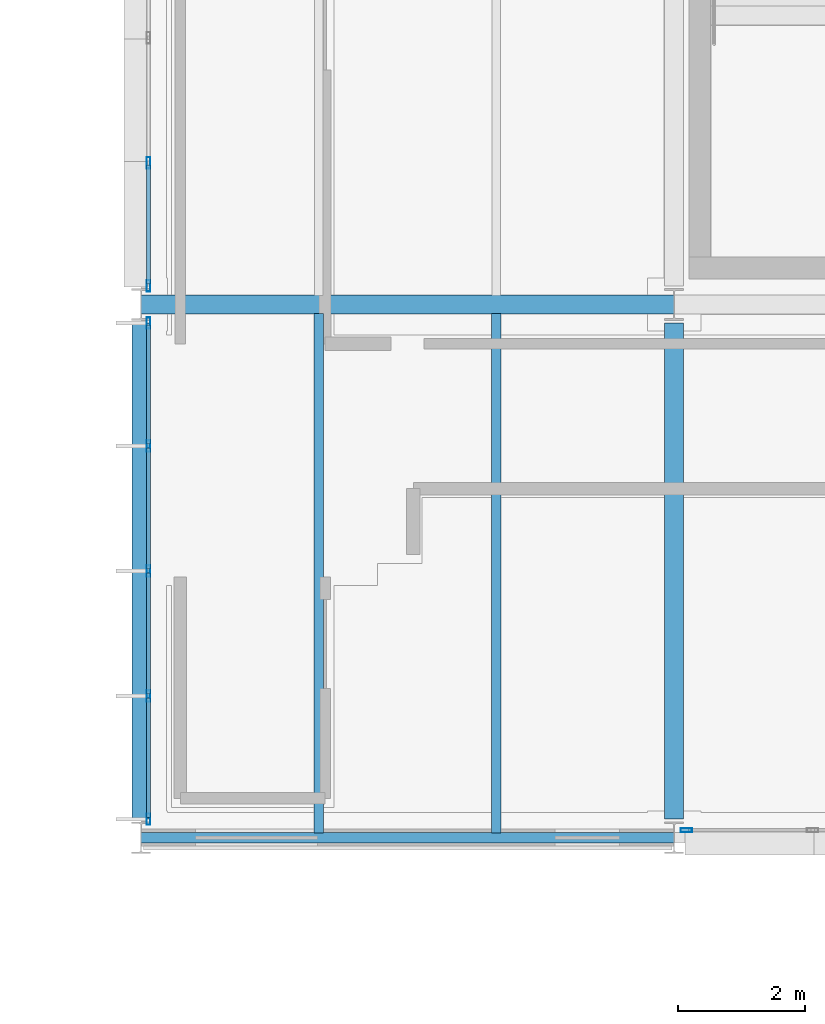
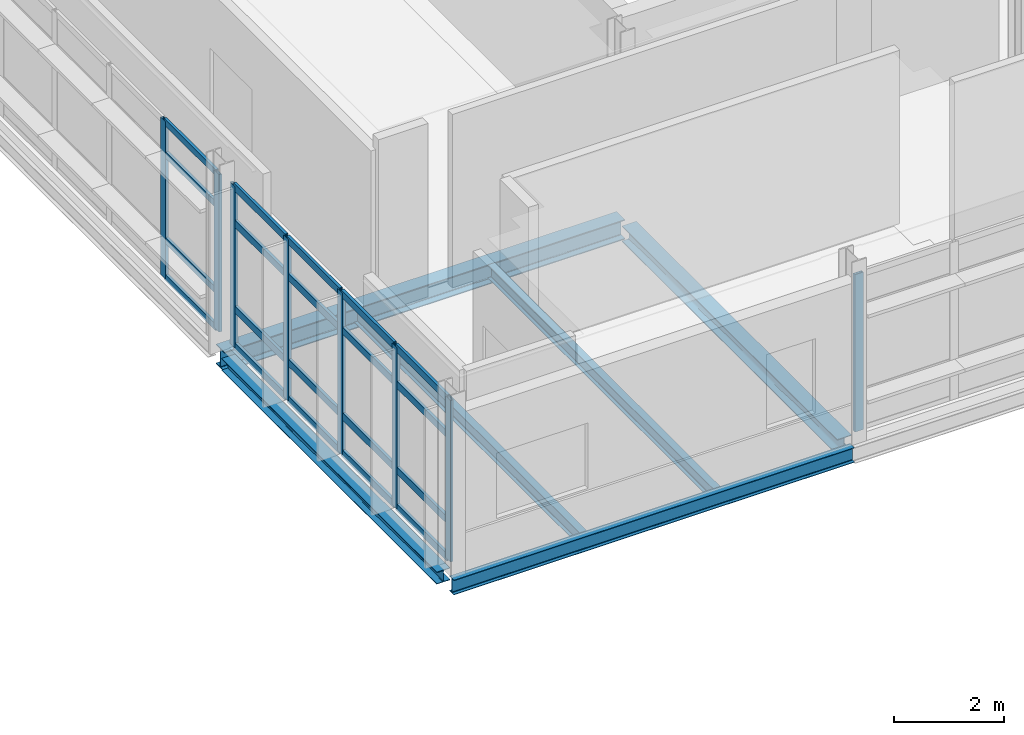
# One storey, part 100 of 151: 28 members, 6 beams, 3 elements without a shape of their own.
"""IFC4 building model written with IfcOpenShell, lengths in metres."""

from ifc_helpers import new_model, si_unit, direction, frame, origin, origin_2d, place, context, subcontext, project, spatial, hollow_rectangle, i_section, extrude, material, material_profile, profile_set, type_object, element, aggregate, save


model = new_model("IFC4")

# Units and contexts
model_context = context("Model", 3, precision=1e-05, world=origin(), true_north=direction((0.0, 1.0)))
body_context = subcontext(model_context, "Body", "Model", "MODEL_VIEW")
ifc_project = project(units=[si_unit("LENGTHUNIT", "METRE"), si_unit("AREAUNIT", "SQUARE_METRE"), si_unit("VOLUMEUNIT", "CUBIC_METRE"), si_unit("PLANEANGLEUNIT", "RADIAN"), si_unit("MASSUNIT", "GRAM", prefix="KILO")], contexts=[model_context])

# Site, building, storey
site_placement = place(None, origin())
site = spatial("IfcSite", under=ifc_project, at=site_placement, CompositionType="ELEMENT")
building_placement = place(site_placement, origin())
building = spatial("IfcBuilding", under=site, at=building_placement, Name="Mersafa Astral City Hall", CompositionType="ELEMENT")
storey_placement = place(building_placement, frame((0.0, 0.0, 9.89990234375)))
storey = spatial("IfcBuildingStorey", under=building, at=storey_placement, Name="L02", CompositionType="ELEMENT", Elevation=9.89990234375)

# Curtain wall, members
ifc_material_1 = material(Name="Anodised bronze aluminium framing", Category="aluminium")
curtain_wall_type_1 = type_object("IfcCurtainWallType", Name="ENV-CW-6", PredefinedType="USERDEFINED", material=ifc_material_1)
curtain_wall_1_placement = place(storey_placement, origin())
curtain_wall_1 = element("IfcCurtainWall", 1, at=curtain_wall_1_placement, inside=storey, type_object=curtain_wall_type_1, Name="L02 Unitised solar curtain wall 119", ObjectType="UNITISED CURTAIN WALL", PredefinedType="USERDEFINED")
ifc_material_profile_1 = material_profile(ifc_material_1, hollow_rectangle(XDim=0.06005859375, YDim=0.179931640625, WallThickness=0.00390625, at=origin_2d()), Name="RHS 60x180x4")
ifc_profile_set_1 = profile_set([ifc_material_profile_1], Name="Anodised bronze aluminium framing")
member_type_1 = type_object("IfcMemberType", Name="ENV-CW-MUL-1", PredefinedType="MULLION", material=ifc_profile_set_1)
member_1_placement = place(storey_placement, frame((142.919921875, 111.430908203125, -0.001953125), z_axis=(0.0, 0.0, 1.0), x_axis=(1.0, 0.0, 0.0)))
member_1 = element("IfcMember", 2, at=member_1_placement, type_object=member_type_1, Name="CW-6 mullion 4", PredefinedType="MULLION", context=body_context, shape_type="SweptSolid", body=[
    extrude(hollow_rectangle(XDim=0.06005859375, YDim=0.179931640625, WallThickness=0.00390625, at=origin_2d()), origin(), (0.0, 0.0, 1.0), 3.489013671875),
])
member_2_placement = place(storey_placement, frame((142.919921875, 109.491943359375, -0.001953125), z_axis=(0.0, 0.0, 1.0), x_axis=(1.0, 0.0, 0.0)))
member_2 = element("IfcMember", 3, at=member_2_placement, type_object=member_type_1, Name="CW-6 mullion 5", PredefinedType="MULLION", context=body_context, shape_type="SweptSolid", body=[
    extrude(hollow_rectangle(XDim=0.06005859375, YDim=0.179931640625, WallThickness=0.00390625, at=origin_2d()), origin(), (0.0, 0.0, 1.0), 3.489013671875),
])

curtain_wall_type_2 = type_object("IfcCurtainWallType", Name="ENV-CW-1", PredefinedType="USERDEFINED", material=ifc_material_1)
curtain_wall_2_placement = place(storey_placement, origin())
curtain_wall_2 = element("IfcCurtainWall", 4, at=curtain_wall_2_placement, inside=storey, type_object=curtain_wall_type_2, Name="L02 Unitised solar curtain wall 120", ObjectType="UNITISED CURTAIN WALL", PredefinedType="USERDEFINED")
member_3_placement = place(storey_placement, frame((142.919921875, 108.907958984375, -0.001953125), z_axis=(0.0, 0.0, 1.0), x_axis=(1.0, 0.0, 0.0)))
member_3 = element("IfcMember", 5, at=member_3_placement, type_object=member_type_1, Name="CW-1 mullion 1", PredefinedType="MULLION", context=body_context, shape_type="SweptSolid", body=[
    extrude(hollow_rectangle(XDim=0.06005859375, YDim=0.179931640625, WallThickness=0.00390625, at=origin_2d()), origin(), (0.0, 0.0, 1.0), 3.5791015625),
])
member_4_placement = place(storey_placement, frame((142.919921875, 106.968994140625, -0.001953125), z_axis=(0.0, 0.0, 1.0), x_axis=(1.0, 0.0, 0.0)))
member_4 = element("IfcMember", 6, at=member_4_placement, type_object=member_type_1, Name="CW-1 mullion 2", PredefinedType="MULLION", context=body_context, shape_type="SweptSolid", body=[
    extrude(hollow_rectangle(XDim=0.06005859375, YDim=0.179931640625, WallThickness=0.00390625, at=origin_2d()), origin(), (0.0, 0.0, 1.0), 3.5791015625),
])
member_5_placement = place(storey_placement, frame((142.919921875, 105.0, -0.001953125), z_axis=(0.0, 0.0, 1.0), x_axis=(1.0, 0.0, 0.0)))
member_5 = element("IfcMember", 7, at=member_5_placement, type_object=member_type_1, Name="CW-1 mullion 3", PredefinedType="MULLION", context=body_context, shape_type="SweptSolid", body=[
    extrude(hollow_rectangle(XDim=0.06005859375, YDim=0.179931640625, WallThickness=0.00390625, at=origin_2d()), origin(), (0.0, 0.0, 1.0), 3.5791015625),
])
member_6_placement = place(storey_placement, frame((142.919921875, 103.031005859375, -0.001953125), z_axis=(0.0, 0.0, 1.0), x_axis=(1.0, 0.0, 0.0)))
member_6 = element("IfcMember", 8, at=member_6_placement, type_object=member_type_1, Name="CW-1 mullion 4", PredefinedType="MULLION", context=body_context, shape_type="SweptSolid", body=[
    extrude(hollow_rectangle(XDim=0.06005859375, YDim=0.179931640625, WallThickness=0.00390625, at=origin_2d()), origin(), (0.0, 0.0, 1.0), 3.5791015625),
])
member_7_placement = place(storey_placement, frame((142.919921875, 101.092041015625, -0.001953125), z_axis=(0.0, 0.0, 1.0), x_axis=(1.0, 0.0, 0.0)))
member_7 = element("IfcMember", 9, at=member_7_placement, type_object=member_type_1, Name="CW-1 mullion 5", PredefinedType="MULLION", context=body_context, shape_type="SweptSolid", body=[
    extrude(hollow_rectangle(XDim=0.06005859375, YDim=0.179931640625, WallThickness=0.00390625, at=origin_2d()), origin(), (0.0, 0.0, 1.0), 3.5791015625),
])

# Curtain wall, member
curtain_wall_type_3 = type_object("IfcCurtainWallType", Name="ENV-CW-2", PredefinedType="USERDEFINED", material=ifc_material_1)
curtain_wall_3_placement = place(storey_placement, origin())
curtain_wall_3 = element("IfcCurtainWall", 10, at=curtain_wall_3_placement, inside=storey, type_object=curtain_wall_type_3, Name="L02 Unitised solar curtain wall 121", ObjectType="UNITISED CURTAIN WALL", PredefinedType="USERDEFINED")
member_8_placement = place(storey_placement, frame((151.39208984375, 100.919921875, -0.001953125), z_axis=(0.0, 0.0, 1.0), x_axis=(0.0, 1.0, 0.0)))
member_8 = element("IfcMember", 11, at=member_8_placement, type_object=member_type_1, Name="CW-2 mullion 1", PredefinedType="MULLION", context=body_context, shape_type="SweptSolid", body=[
    extrude(hollow_rectangle(XDim=0.06005859375, YDim=0.179931640625, WallThickness=0.00390625, at=origin_2d()), origin(), (0.0, 0.0, 1.0), 3.489013671875),
])
aggregate(curtain_wall_3, [member_8])

# Member
ifc_material_profile_2 = material_profile(ifc_material_1, hollow_rectangle(XDim=0.06005859375, YDim=0.139892578125, WallThickness=0.00390625, at=origin_2d()), Name="RHS 60x140x4")
ifc_profile_set_2 = profile_set([ifc_material_profile_2], Name="Anodised bronze aluminium framing")
member_type_2 = type_object("IfcMemberType", Name="ENV-CW-TRN-1", PredefinedType="USERDEFINED", material=ifc_profile_set_2)
member_9_placement = place(storey_placement, frame((142.919921875, 111.40087890625, 0.028076171875), z_axis=(0.0, -1.0, 0.0), x_axis=(1.0, 0.0, 0.0)))
member_9 = element("IfcMember", 12, at=member_9_placement, type_object=member_type_2, Name="CW-6 transom 4.1", ObjectType="TRANSOM", PredefinedType="USERDEFINED", context=body_context, shape_type="SweptSolid", body=[
    extrude(hollow_rectangle(XDim=0.06005859375, YDim=0.139892578125, WallThickness=0.00390625, at=origin_2d()), origin(), (0.0, 0.0, 1.0), 1.87890625),
])

member_10_placement = place(storey_placement, frame((142.919921875, 111.40087890625, 0.85009765625), z_axis=(0.0, -1.0, 0.0), x_axis=(1.0, 0.0, 0.0)))
member_10 = element("IfcMember", 13, at=member_10_placement, type_object=member_type_2, Name="CW-6 transom 4.2", ObjectType="TRANSOM", PredefinedType="USERDEFINED", context=body_context, shape_type="SweptSolid", body=[
    extrude(hollow_rectangle(XDim=0.06005859375, YDim=0.139892578125, WallThickness=0.00390625, at=origin_2d()), origin(), (0.0, 0.0, 1.0), 1.87890625),
])

member_11_placement = place(storey_placement, frame((142.919921875, 111.40087890625, 2.75), z_axis=(0.0, -1.0, 0.0), x_axis=(1.0, 0.0, 0.0)))
member_11 = element("IfcMember", 14, at=member_11_placement, type_object=member_type_2, Name="CW-6 transom 4.3", ObjectType="TRANSOM", PredefinedType="USERDEFINED", context=body_context, shape_type="SweptSolid", body=[
    extrude(hollow_rectangle(XDim=0.06005859375, YDim=0.139892578125, WallThickness=0.00390625, at=origin_2d()), origin(), (0.0, 0.0, 1.0), 1.87890625),
])

member_12_placement = place(storey_placement, frame((142.919921875, 111.40087890625, 3.45703125), z_axis=(0.0, -1.0, 0.0), x_axis=(1.0, 0.0, 0.0)))
member_12 = element("IfcMember", 15, at=member_12_placement, type_object=member_type_2, Name="CW-6 transom 4.4", ObjectType="TRANSOM", PredefinedType="USERDEFINED", context=body_context, shape_type="SweptSolid", body=[
    extrude(hollow_rectangle(XDim=0.06005859375, YDim=0.139892578125, WallThickness=0.00390625, at=origin_2d()), origin(), (0.0, 0.0, 1.0), 1.87890625),
])

aggregate(curtain_wall_1, [member_1, member_2, member_9, member_10, member_11, member_12])

ifc_material_profile_3 = material_profile(ifc_material_1, hollow_rectangle(XDim=0.06005859375, YDim=0.159912109375, WallThickness=0.00390625, at=origin_2d()), Name="RHS 60x160x4")
ifc_profile_set_3 = profile_set([ifc_material_profile_3], Name="Anodised bronze aluminium framing")
member_type_3 = type_object("IfcMemberType", Name="ENV-CW-TRN-2", PredefinedType="USERDEFINED", material=ifc_profile_set_3)
member_13_placement = place(storey_placement, frame((142.919921875, 108.8779296875, 0.028076171875), z_axis=(0.0, -1.0, 0.0), x_axis=(1.0, 0.0, 0.0)))
member_13 = element("IfcMember", 16, at=member_13_placement, type_object=member_type_3, Name="CW-1 transom 1.1", ObjectType="TRANSOM", PredefinedType="USERDEFINED", context=body_context, shape_type="SweptSolid", body=[
    extrude(hollow_rectangle(XDim=0.06005859375, YDim=0.159912109375, WallThickness=0.00390625, at=origin_2d()), origin(), (0.0, 0.0, 1.0), 1.87890625),
])

member_14_placement = place(storey_placement, frame((142.919921875, 108.8779296875, 0.85009765625), z_axis=(0.0, -1.0, 0.0), x_axis=(1.0, 0.0, 0.0)))
member_14 = element("IfcMember", 17, at=member_14_placement, type_object=member_type_3, Name="CW-1 transom 1.2", ObjectType="TRANSOM", PredefinedType="USERDEFINED", context=body_context, shape_type="SweptSolid", body=[
    extrude(hollow_rectangle(XDim=0.06005859375, YDim=0.159912109375, WallThickness=0.00390625, at=origin_2d()), origin(), (0.0, 0.0, 1.0), 1.87890625),
])

member_15_placement = place(storey_placement, frame((142.919921875, 108.8779296875, 2.75), z_axis=(0.0, -1.0, 0.0), x_axis=(1.0, 0.0, 0.0)))
member_15 = element("IfcMember", 18, at=member_15_placement, type_object=member_type_3, Name="CW-1 transom 1.3", ObjectType="TRANSOM", PredefinedType="USERDEFINED", context=body_context, shape_type="SweptSolid", body=[
    extrude(hollow_rectangle(XDim=0.06005859375, YDim=0.159912109375, WallThickness=0.00390625, at=origin_2d()), origin(), (0.0, 0.0, 1.0), 1.87890625),
])

member_16_placement = place(storey_placement, frame((142.919921875, 108.8779296875, 3.547119140625), z_axis=(0.0, -1.0, 0.0), x_axis=(1.0, 0.0, 0.0)))
member_16 = element("IfcMember", 19, at=member_16_placement, type_object=member_type_3, Name="CW-1 transom 1.4", ObjectType="TRANSOM", PredefinedType="USERDEFINED", context=body_context, shape_type="SweptSolid", body=[
    extrude(hollow_rectangle(XDim=0.06005859375, YDim=0.159912109375, WallThickness=0.00390625, at=origin_2d()), origin(), (0.0, 0.0, 1.0), 1.87890625),
])

member_17_placement = place(storey_placement, frame((142.919921875, 106.93896484375, 0.028076171875), z_axis=(0.0, -1.0, 0.0), x_axis=(1.0, 0.0, 0.0)))
member_17 = element("IfcMember", 20, at=member_17_placement, type_object=member_type_3, Name="CW-1 transom 2.1", ObjectType="TRANSOM", PredefinedType="USERDEFINED", context=body_context, shape_type="SweptSolid", body=[
    extrude(hollow_rectangle(XDim=0.06005859375, YDim=0.159912109375, WallThickness=0.00390625, at=origin_2d()), origin(), (0.0, 0.0, 1.0), 1.908935546875),
])

member_18_placement = place(storey_placement, frame((142.919921875, 106.93896484375, 0.85009765625), z_axis=(0.0, -1.0, 0.0), x_axis=(1.0, 0.0, 0.0)))
member_18 = element("IfcMember", 21, at=member_18_placement, type_object=member_type_3, Name="CW-1 transom 2.2", ObjectType="TRANSOM", PredefinedType="USERDEFINED", context=body_context, shape_type="SweptSolid", body=[
    extrude(hollow_rectangle(XDim=0.06005859375, YDim=0.159912109375, WallThickness=0.00390625, at=origin_2d()), origin(), (0.0, 0.0, 1.0), 1.908935546875),
])

member_19_placement = place(storey_placement, frame((142.919921875, 106.93896484375, 2.75), z_axis=(0.0, -1.0, 0.0), x_axis=(1.0, 0.0, 0.0)))
member_19 = element("IfcMember", 22, at=member_19_placement, type_object=member_type_3, Name="CW-1 transom 2.3", ObjectType="TRANSOM", PredefinedType="USERDEFINED", context=body_context, shape_type="SweptSolid", body=[
    extrude(hollow_rectangle(XDim=0.06005859375, YDim=0.159912109375, WallThickness=0.00390625, at=origin_2d()), origin(), (0.0, 0.0, 1.0), 1.908935546875),
])

member_20_placement = place(storey_placement, frame((142.919921875, 106.93896484375, 3.547119140625), z_axis=(0.0, -1.0, 0.0), x_axis=(1.0, 0.0, 0.0)))
member_20 = element("IfcMember", 23, at=member_20_placement, type_object=member_type_3, Name="CW-1 transom 2.4", ObjectType="TRANSOM", PredefinedType="USERDEFINED", context=body_context, shape_type="SweptSolid", body=[
    extrude(hollow_rectangle(XDim=0.06005859375, YDim=0.159912109375, WallThickness=0.00390625, at=origin_2d()), origin(), (0.0, 0.0, 1.0), 1.908935546875),
])

member_21_placement = place(storey_placement, frame((142.919921875, 104.969970703125, 0.028076171875), z_axis=(0.0, -1.0, 0.0), x_axis=(1.0, 0.0, 0.0)))
member_21 = element("IfcMember", 24, at=member_21_placement, type_object=member_type_3, Name="CW-1 transom 3.1", ObjectType="TRANSOM", PredefinedType="USERDEFINED", context=body_context, shape_type="SweptSolid", body=[
    extrude(hollow_rectangle(XDim=0.06005859375, YDim=0.159912109375, WallThickness=0.00390625, at=origin_2d()), origin(), (0.0, 0.0, 1.0), 1.908935546875),
])

member_22_placement = place(storey_placement, frame((142.919921875, 104.969970703125, 0.85009765625), z_axis=(0.0, -1.0, 0.0), x_axis=(1.0, 0.0, 0.0)))
member_22 = element("IfcMember", 25, at=member_22_placement, type_object=member_type_3, Name="CW-1 transom 3.2", ObjectType="TRANSOM", PredefinedType="USERDEFINED", context=body_context, shape_type="SweptSolid", body=[
    extrude(hollow_rectangle(XDim=0.06005859375, YDim=0.159912109375, WallThickness=0.00390625, at=origin_2d()), origin(), (0.0, 0.0, 1.0), 1.908935546875),
])

member_23_placement = place(storey_placement, frame((142.919921875, 104.969970703125, 2.75), z_axis=(0.0, -1.0, 0.0), x_axis=(1.0, 0.0, 0.0)))
member_23 = element("IfcMember", 26, at=member_23_placement, type_object=member_type_3, Name="CW-1 transom 3.3", ObjectType="TRANSOM", PredefinedType="USERDEFINED", context=body_context, shape_type="SweptSolid", body=[
    extrude(hollow_rectangle(XDim=0.06005859375, YDim=0.159912109375, WallThickness=0.00390625, at=origin_2d()), origin(), (0.0, 0.0, 1.0), 1.908935546875),
])

member_24_placement = place(storey_placement, frame((142.919921875, 104.969970703125, 3.547119140625), z_axis=(0.0, -1.0, 0.0), x_axis=(1.0, 0.0, 0.0)))
member_24 = element("IfcMember", 27, at=member_24_placement, type_object=member_type_3, Name="CW-1 transom 3.4", ObjectType="TRANSOM", PredefinedType="USERDEFINED", context=body_context, shape_type="SweptSolid", body=[
    extrude(hollow_rectangle(XDim=0.06005859375, YDim=0.159912109375, WallThickness=0.00390625, at=origin_2d()), origin(), (0.0, 0.0, 1.0), 1.908935546875),
])

member_25_placement = place(storey_placement, frame((142.919921875, 103.0009765625, 0.028076171875), z_axis=(0.0, -1.0, 0.0), x_axis=(1.0, 0.0, 0.0)))
member_25 = element("IfcMember", 28, at=member_25_placement, type_object=member_type_3, Name="CW-1 transom 4.1", ObjectType="TRANSOM", PredefinedType="USERDEFINED", context=body_context, shape_type="SweptSolid", body=[
    extrude(hollow_rectangle(XDim=0.06005859375, YDim=0.159912109375, WallThickness=0.00390625, at=origin_2d()), origin(), (0.0, 0.0, 1.0), 1.87890625),
])

member_26_placement = place(storey_placement, frame((142.919921875, 103.0009765625, 0.85009765625), z_axis=(0.0, -1.0, 0.0), x_axis=(1.0, 0.0, 0.0)))
member_26 = element("IfcMember", 29, at=member_26_placement, type_object=member_type_3, Name="CW-1 transom 4.2", ObjectType="TRANSOM", PredefinedType="USERDEFINED", context=body_context, shape_type="SweptSolid", body=[
    extrude(hollow_rectangle(XDim=0.06005859375, YDim=0.159912109375, WallThickness=0.00390625, at=origin_2d()), origin(), (0.0, 0.0, 1.0), 1.87890625),
])

member_27_placement = place(storey_placement, frame((142.919921875, 103.0009765625, 2.75), z_axis=(0.0, -1.0, 0.0), x_axis=(1.0, 0.0, 0.0)))
member_27 = element("IfcMember", 30, at=member_27_placement, type_object=member_type_3, Name="CW-1 transom 4.3", ObjectType="TRANSOM", PredefinedType="USERDEFINED", context=body_context, shape_type="SweptSolid", body=[
    extrude(hollow_rectangle(XDim=0.06005859375, YDim=0.159912109375, WallThickness=0.00390625, at=origin_2d()), origin(), (0.0, 0.0, 1.0), 1.87890625),
])

member_28_placement = place(storey_placement, frame((142.919921875, 103.0009765625, 3.547119140625), z_axis=(0.0, -1.0, 0.0), x_axis=(1.0, 0.0, 0.0)))
member_28 = element("IfcMember", 31, at=member_28_placement, type_object=member_type_3, Name="CW-1 transom 4.4", ObjectType="TRANSOM", PredefinedType="USERDEFINED", context=body_context, shape_type="SweptSolid", body=[
    extrude(hollow_rectangle(XDim=0.06005859375, YDim=0.159912109375, WallThickness=0.00390625, at=origin_2d()), origin(), (0.0, 0.0, 1.0), 1.87890625),
])

aggregate(curtain_wall_2, [member_3, member_4, member_5, member_6, member_7, member_13, member_14, member_15, member_16, member_17, member_18, member_19, member_20, member_21, member_22, member_23, member_24, member_25, member_26, member_27, member_28])

# Beams
ifc_material_2 = material(Name="Steel S355", Category="steel")
ifc_material_profile_4 = material_profile(ifc_material_2, i_section(OverallWidth=0.300048828125, OverallDepth=0.35009765625, WebThickness=0.010009765625, FlangeThickness=0.017578125, FilletRadius=0.027099609375, at=origin_2d()), Name="HEA 360")
ifc_profile_set_4 = profile_set([ifc_material_profile_4], Name="Steel S355")
beam_type_1 = type_object("IfcBeamType", Name="STR-BM-HEA360", PredefinedType="BEAM", material=ifc_profile_set_4)
beam_1_placement = place(storey_placement, frame((151.199951171875, 101.094970703125, -0.375), z_axis=(0.0, 1.0, 0.0), x_axis=(-1.0, 0.0, 0.0)))
element("IfcBeam", 32, at=beam_1_placement, inside=storey, type_object=beam_type_1, Name="L02 Primary girder Y 18-12", PredefinedType="BEAM", context=body_context, shape_type="SweptSolid", body=[
    extrude(i_section(OverallWidth=0.300048828125, OverallDepth=0.35009765625, WebThickness=0.010009765625, FlangeThickness=0.017578125, FilletRadius=0.027099609375, at=origin_2d()), origin(), (0.0, 0.0, 1.0), 7.81005859375),
])
ifc_material_profile_5 = material_profile(ifc_material_2, i_section(OverallWidth=0.300048828125, OverallDepth=0.43994140625, WebThickness=0.011474609375, FlangeThickness=0.02099609375, FilletRadius=0.027099609375, at=origin_2d()), Name="HEA 450")
ifc_profile_set_5 = profile_set([ifc_material_profile_5], Name="Steel S355")
beam_type_2 = type_object("IfcBeamType", Name="STR-BM-HEA450", PredefinedType="BEAM", material=ifc_profile_set_5)
beam_2_placement = place(storey_placement, frame((142.802978515625, 109.199951171875, -0.419921875), z_axis=(1.0, 0.0, 0.0), x_axis=(0.0, 1.0, 0.0)))
element("IfcBeam", 33, at=beam_2_placement, inside=storey, type_object=beam_type_2, Name="L02 Primary girder X 17-13", PredefinedType="BEAM", context=body_context, shape_type="SweptSolid", body=[
    extrude(i_section(OverallWidth=0.300048828125, OverallDepth=0.43994140625, WebThickness=0.011474609375, FlangeThickness=0.02099609375, FilletRadius=0.027099609375, at=origin_2d()), origin(), (0.0, 0.0, 1.0), 8.39404296875),
])
ifc_material_profile_6 = material_profile(ifc_material_2, i_section(OverallWidth=0.14990234375, OverallDepth=0.300048828125, WebThickness=0.007080078125, FlangeThickness=0.0107421875, FilletRadius=0.014892578125, at=origin_2d()), Name="IPE 300")
ifc_profile_set_6 = profile_set([ifc_material_profile_6], Name="Steel S355")
beam_type_3 = type_object("IfcBeamType", Name="STR-BM-JOIST-IPE300", PredefinedType="JOIST", material=ifc_profile_set_6)
for number, where, z_axis, x_axis, name in (
    (34, (145.60009765625, 100.875, -0.349853515625), (0.0, 1.0, 0.0), (-1.0, 0.0, 0.0), "L02 Composite secondary floor joist 514"),
    (35, (148.39990234375, 100.875, -0.349853515625), (0.0, 1.0, 0.0), (-1.0, 0.0, 0.0), "L02 Composite secondary floor joist 515"),
):
    element("IfcBeam", number, at=place(storey_placement, frame(where, z_axis=z_axis, x_axis=x_axis)), inside=storey, type_object=beam_type_3, Name=name, PredefinedType="JOIST", context=body_context, shape_type="SweptSolid", body=[
        extrude(i_section(OverallWidth=0.14990234375, OverallDepth=0.300048828125, WebThickness=0.007080078125, FlangeThickness=0.0107421875, FilletRadius=0.014892578125, at=origin_2d()), origin(), (0.0, 0.0, 1.0), 8.179931640625),
    ])
ifc_material_profile_7 = material_profile(ifc_material_2, i_section(OverallWidth=0.280029296875, OverallDepth=0.27001953125, WebThickness=0.008056640625, FlangeThickness=0.012939453125, FilletRadius=0.02392578125, at=origin_2d()), Name="HEA 280")
ifc_profile_set_7 = profile_set([ifc_material_profile_7], Name="Steel S355")
beam_type_4 = type_object("IfcBeamType", Name="STR-BM-SPANDREL-HEA280", PredefinedType="SPANDREL", material=ifc_profile_set_7)
beam_3_placement = place(storey_placement, frame((142.800048828125, 101.094970703125, -0.3349609375), z_axis=(0.0, 1.0, 0.0), x_axis=(-1.0, 0.0, 0.0)))
element("IfcBeam", 36, at=beam_3_placement, inside=storey, type_object=beam_type_4, Name="L02 Primary girder Y 17-12", PredefinedType="SPANDREL", context=body_context, shape_type="SweptSolid", body=[
    extrude(i_section(OverallWidth=0.280029296875, OverallDepth=0.27001953125, WebThickness=0.008056640625, FlangeThickness=0.012939453125, FilletRadius=0.02392578125, at=origin_2d()), origin(), (0.0, 0.0, 1.0), 7.81005859375),
])
ifc_material_profile_8 = material_profile(ifc_material_2, i_section(OverallWidth=0.159912109375, OverallDepth=0.330078125, WebThickness=0.007568359375, FlangeThickness=0.011474609375, FilletRadius=0.01806640625, at=origin_2d()), Name="IPE 330")
ifc_profile_set_8 = profile_set([ifc_material_profile_8], Name="Steel S355")
beam_type_5 = type_object("IfcBeamType", Name="STR-BM-SPANDREL-IPE330", PredefinedType="SPANDREL", material=ifc_profile_set_8)
beam_4_placement = place(storey_placement, frame((142.802978515625, 100.800048828125, -0.364990234375), z_axis=(1.0, 0.0, 0.0), x_axis=(0.0, 1.0, 0.0)))
element("IfcBeam", 37, at=beam_4_placement, inside=storey, type_object=beam_type_5, Name="L02 Primary girder X 17-12", PredefinedType="SPANDREL", context=body_context, shape_type="SweptSolid", body=[
    extrude(i_section(OverallWidth=0.159912109375, OverallDepth=0.330078125, WebThickness=0.007568359375, FlangeThickness=0.011474609375, FilletRadius=0.01806640625, at=origin_2d()), origin(), (0.0, 0.0, 1.0), 8.39404296875),
])

save(model, "model.ifc")
